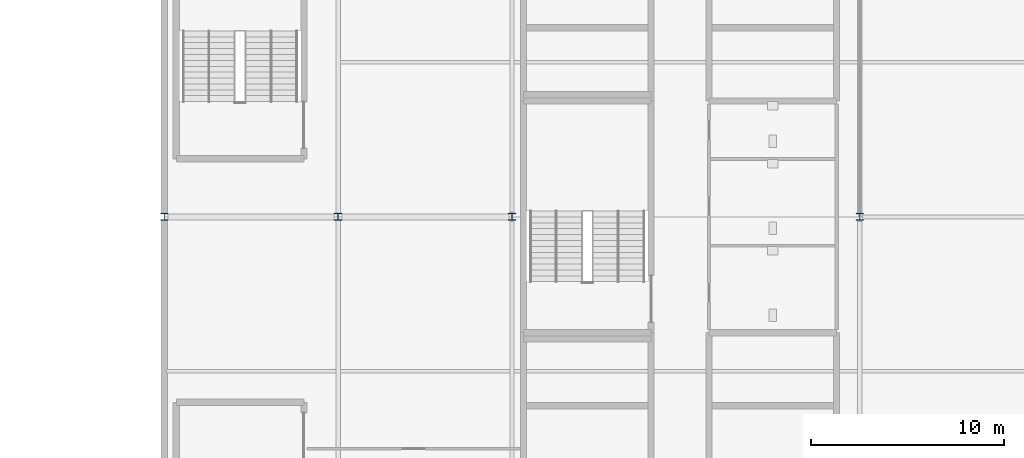
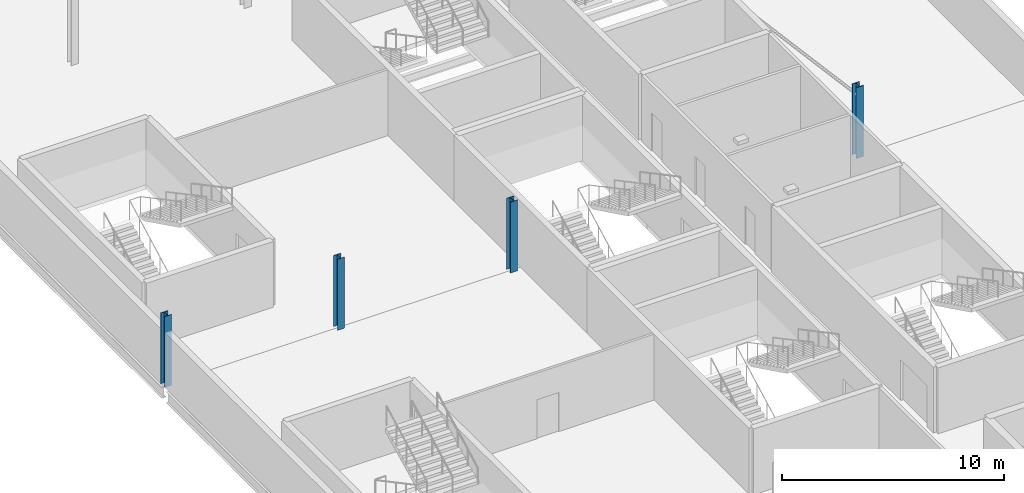
# One storey, part 11 of 98: 4 columns.
"""IFC4 building model written with IfcOpenShell, lengths in metres."""

import ifcopenshell
import ifcopenshell.guid

model = None  # the IFC model being written
_history = None  # IfcOwnerHistory: only IFC2X3 demands one
_inside = {}  # id of a spatial element -> (the spatial element, [elements in it])
_under = {}  # id of a project, library or spatial element -> (it, [spatial elements below it])
_declared = {}  # id of a project -> (the project, [libraries it declares])
_typed = {}  # id of a type object -> (the type object, [elements of that type])
_made_of = {}  # id of a material, layer set ... -> (it, [elements and type objects made of it])


def new_model(schema):
    """Start an empty IFC model of exactly this schema.

    Asked for "IFC4X3", IfcOpenShell would pick the latest addendum, in which some entities
    have other attributes; the version numbers below select the first issue.
    IFC2X3 requires an IfcOwnerHistory on every rooted entity: one is made here for all.
    """
    global model, _history
    if schema == "IFC4X3":
        model = ifcopenshell.file(schema_version=(4, 3, 0, 0))
    else:
        model = ifcopenshell.file(schema=schema)
    _inside.clear()
    _under.clear()
    _declared.clear()
    _typed.clear()
    _made_of.clear()
    _history = None
    if model.schema == "IFC2X3":
        org = make("IfcOrganization", Name="unknown")
        user = make(
            "IfcPersonAndOrganization",
            ThePerson=make("IfcPerson", FamilyName="unknown"),
            TheOrganization=org,
        )
        app = make(
            "IfcApplication",
            ApplicationDeveloper=org,
            Version="unknown",
            ApplicationFullName="unknown",
            ApplicationIdentifier="unknown",
        )
        _history = make(
            "IfcOwnerHistory",
            OwningUser=user,
            OwningApplication=app,
            ChangeAction="ADDED",
            CreationDate=0,
        )
    return model


def make(cls, **values):
    """One entity of the class cls with the attributes given. An attribute that is None is left unset."""
    return model.create_entity(
        cls, **{name: value for name, value in values.items() if value is not None}
    )


def rooted(cls, **values):
    """An entity with a GlobalId (a new one), such as an element, a storey or a relation."""
    return make(cls, GlobalId=ifcopenshell.guid.new(), OwnerHistory=_history, **values)


def si_unit(unit_type, name, prefix=None):
    """IfcSIUnit, for example si_unit("LENGTHUNIT", "METRE", prefix="MILLI")."""
    return make("IfcSIUnit", UnitType=unit_type, Prefix=prefix, Name=name)


def assignment(units):
    """IfcUnitAssignment: the units of a project."""
    return None if units is None else make("IfcUnitAssignment", Units=units)


def point(xyz):
    """IfcCartesianPoint."""
    return None if xyz is None else make("IfcCartesianPoint", Coordinates=xyz)


def direction(xyz):
    """IfcDirection."""
    return None if xyz is None else make("IfcDirection", DirectionRatios=xyz)


def frame(location, z_axis=None, x_axis=None):
    """IfcAxis2Placement3D, a coordinate frame: its origin and axes. An axis left out is left unset."""
    return make(
        "IfcAxis2Placement3D",
        Location=point(location),
        Axis=direction(z_axis),
        RefDirection=direction(x_axis),
    )


def frame_2d(location, x_axis=None):
    """IfcAxis2Placement2D, a coordinate frame in the plane: its origin and x axis."""
    return make(
        "IfcAxis2Placement2D", Location=point(location), RefDirection=direction(x_axis)
    )


def origin():
    """The frame at (0, 0, 0) with its axes left unset."""
    return frame((0.0, 0.0, 0.0))


def origin_2d():
    """The frame at (0, 0) in the plane with its x axis left unset."""
    return frame_2d((0.0, 0.0))


def place(relative_to, where):
    """IfcLocalPlacement: puts the frame where relative to a parent placement (None: the world)."""
    return make(
        "IfcLocalPlacement", PlacementRelTo=relative_to, RelativePlacement=where
    )


def context(
    kind, dimensions, precision=None, world=None, true_north=None, identifier=None
):
    """IfcGeometricRepresentationContext, for example the 3D "Model" context."""
    return make(
        "IfcGeometricRepresentationContext",
        ContextIdentifier=identifier,
        ContextType=kind,
        CoordinateSpaceDimension=dimensions,
        Precision=precision,
        WorldCoordinateSystem=world,
        TrueNorth=true_north,
    )


def subcontext(parent, identifier, kind, view, scale=None):
    """IfcGeometricRepresentationSubContext, for example "Body" below "Model"."""
    return make(
        "IfcGeometricRepresentationSubContext",
        ContextIdentifier=identifier,
        ContextType=kind,
        ParentContext=parent,
        TargetScale=scale,
        TargetView=view,
    )


def project(units=None, contexts=None):
    """IfcProject with its units and contexts."""
    return rooted(
        "IfcProject",
        Name="project",
        RepresentationContexts=contexts,
        UnitsInContext=assignment(units),
    )


def spatial(cls, under=None, at=None, **own):
    """A site, building, storey or space (cls), placed at a placement, below another one or the project."""
    s = rooted(cls, ObjectPlacement=at, **own)
    if under is not None:
        _under.setdefault(under.id(), (under, []))[1].append(s)
    return s


def profile(cls, at=None, kind="AREA", **sizes):
    """A parametric profile (cls). Its sizes go by their IFC names, for example OverallWidth=200.0."""
    return make(cls, ProfileType=kind, Position=at, **sizes)


def i_section(**sizes):
    """IfcIShapeProfileDef."""
    return profile("IfcIShapeProfileDef", **sizes)


def extrude(swept, where, along, depth):
    """IfcExtrudedAreaSolid: the profile swept, set in the frame where, extruded along a direction by depth."""
    return make(
        "IfcExtrudedAreaSolid",
        SweptArea=swept,
        Position=where,
        ExtrudedDirection=direction(along),
        Depth=depth,
    )


def shape(context_of_items, identifier, shape_type, items):
    """IfcShapeRepresentation: the items that make up one representation, for example the "Body"."""
    return make(
        "IfcShapeRepresentation",
        ContextOfItems=context_of_items,
        RepresentationIdentifier=identifier,
        RepresentationType=shape_type,
        Items=items,
    )


def material(Name=None, Category=None):
    """IfcMaterial."""
    return make("IfcMaterial", Name=Name, Category=Category)


def material_profile(
    of_material, cross_section, Name=None, Category=None, Priority=None
):
    """IfcMaterialProfile: a cross section and its material."""
    return make(
        "IfcMaterialProfile",
        Name=Name,
        Material=of_material,
        Profile=cross_section,
        Priority=Priority,
        Category=Category,
    )


def profile_set(profiles, Name=None, composite=None):
    """IfcMaterialProfileSet."""
    return make(
        "IfcMaterialProfileSet",
        Name=Name,
        MaterialProfiles=profiles,
        CompositeProfile=composite,
    )


def made_of(thing, what):
    """Note that an element or type object is made of a material, layer set ...; save() writes the relation."""
    if what is not None:
        _made_of.setdefault(what.id(), (what, []))[1].append(thing)
    return thing


def type_object(cls, material=None, **own):
    """A type object (cls), such as IfcWallType, which elements share."""
    return made_of(rooted(cls, **own), material)


def element(
    cls,
    number,
    at=None,
    inside=None,
    cuts=None,
    type_object=None,
    material=None,
    context=None,
    identifier="Body",
    shape_type=None,
    held_by="IfcProductDefinitionShape",
    body=None,
    shapes=None,
    **own,
):
    """One element of the class cls, such as IfcWall. Its Tag is "e" and its number.

    at: its placement. inside: the storey or other place that contains it. cuts: it is an
    opening in that element (IfcRelVoidsElement). A single representation is given by context,
    identifier, shape_type and body (its items); several are given by shapes. held_by: the class
    of the entity that holds the representations. save() writes the other relations.
    """
    e = rooted(cls, Tag="e%d" % number, ObjectPlacement=at, **own)
    if body is not None:
        shapes = [shape(context, identifier, shape_type, body)]
    if shapes is not None:
        e.Representation = make(held_by, Representations=shapes)
    if inside is not None:
        _inside.setdefault(inside.id(), (inside, []))[1].append(e)
    if cuts is not None:
        rooted(
            "IfcRelVoidsElement", RelatingBuildingElement=cuts, RelatedOpeningElement=e
        )
    if type_object is not None:
        _typed.setdefault(type_object.id(), (type_object, []))[1].append(e)
    return made_of(e, material)


def aggregate(whole, parts):
    """IfcRelAggregates: a whole, such as a stair, and the parts it consists of."""
    return rooted("IfcRelAggregates", RelatingObject=whole, RelatedObjects=parts)


def save(model, path):
    """Write the relations noted so far, then the file.

    IfcRelAggregates (storeys below a building ...), IfcRelContainedInSpatialStructure (elements
    in a storey), IfcRelDefinesByType, IfcRelAssociatesMaterial and IfcRelDeclares: one each for
    every whole, place, type object, material and project.
    """
    for whole, parts in _under.values():
        aggregate(whole, parts)
    for where, things in _inside.values():
        rooted(
            "IfcRelContainedInSpatialStructure",
            RelatedElements=things,
            RelatingStructure=where,
        )
    for kind, things in _typed.values():
        rooted("IfcRelDefinesByType", RelatedObjects=things, RelatingType=kind)
    for what, things in _made_of.values():
        rooted("IfcRelAssociatesMaterial", RelatedObjects=things, RelatingMaterial=what)
    for by, libraries in _declared.values():
        rooted("IfcRelDeclares", RelatingContext=by, RelatedDefinitions=libraries)
    model.write(path)


model = new_model("IFC4")

# Units and contexts
model_context = context("Model", 3, precision=1e-05, world=origin(), true_north=direction((0.0, 1.0)))
body_context = subcontext(model_context, "Body", "Model", "MODEL_VIEW")
ifc_project = project(units=[si_unit("LENGTHUNIT", "METRE"), si_unit("AREAUNIT", "SQUARE_METRE"), si_unit("VOLUMEUNIT", "CUBIC_METRE"), si_unit("PLANEANGLEUNIT", "RADIAN"), si_unit("MASSUNIT", "GRAM", prefix="KILO")], contexts=[model_context])

# Site, building, storey
site_placement = place(None, origin())
site = spatial("IfcSite", under=ifc_project, at=site_placement, CompositionType="ELEMENT")
building_placement = place(site_placement, origin())
building = spatial("IfcBuilding", under=site, at=building_placement, Name="Kisiwana Market Hall", CompositionType="ELEMENT")
storey_placement = place(building_placement, frame((0.0, 0.0, 29.39990234375)))
storey = spatial("IfcBuildingStorey", under=building, at=storey_placement, Name="L06", CompositionType="ELEMENT", Elevation=29.39990234375)

# Columns
ifc_material_1 = material(Name="Steel S355", Category="steel")
ifc_material_profile_1 = material_profile(ifc_material_1, i_section(OverallWidth=0.37060546875, OverallDepth=0.362060546875, WebThickness=0.01220703125, FlangeThickness=0.020751953125, at=origin_2d()), Name="UC 356x368x153")
ifc_profile_set_1 = profile_set([ifc_material_profile_1], Name="Steel S355")
column_type_1 = type_object("IfcColumnType", Name="COL-STL-UC153", PredefinedType="COLUMN", material=ifc_profile_set_1)
for number, where, z_axis, x_axis, name in (
    (1, (153.0, 60.0, 0.0), (0.0, 0.0, 1.0), (1.0, 0.0, 0.0), "Column H/18 (L06) C-1035"),
    (2, (162.0, 60.0, 0.0), (0.0, 0.0, 1.0), (1.0, 0.0, 0.0), "Column H/19 (L06) C-0974"),
):
    element("IfcColumn", number, at=place(storey_placement, frame(where, z_axis=z_axis, x_axis=x_axis)), inside=storey, type_object=column_type_1, Name=name, PredefinedType="COLUMN", context=body_context, shape_type="SweptSolid", body=[
        extrude(i_section(OverallWidth=0.37060546875, OverallDepth=0.362060546875, WebThickness=0.01220703125, FlangeThickness=0.020751953125, at=origin_2d()), origin(), (0.0, 0.0, 1.0), 3.900146484375),
    ])
ifc_material_2 = material(Name="Steel S355", Category="steel")
ifc_material_profile_2 = material_profile(ifc_material_2, i_section(OverallWidth=0.374755859375, OverallDepth=0.37451171875, WebThickness=0.0166015625, FlangeThickness=0.027099609375, at=origin_2d()), Name="UC 356x368x202")
ifc_profile_set_2 = profile_set([ifc_material_profile_2], Name="Steel S355")
column_type_2 = type_object("IfcColumnType", Name="COL-STL-UC202", PredefinedType="COLUMN", material=ifc_profile_set_2)
for number, where, z_axis, x_axis, name in (
    (3, (171.0, 60.0, 0.0), (0.0, 0.0, 1.0), (1.0, 0.0, 0.0), "Column H/20 (L06) C-1049"),
    (4, (189.0, 60.0, 0.0), (0.0, 0.0, 1.0), (1.0, 0.0, 0.0), "Column H/22 (L06) C-0975"),
):
    element("IfcColumn", number, at=place(storey_placement, frame(where, z_axis=z_axis, x_axis=x_axis)), inside=storey, type_object=column_type_2, Name=name, PredefinedType="COLUMN", context=body_context, shape_type="SweptSolid", body=[
        extrude(i_section(OverallWidth=0.374755859375, OverallDepth=0.37451171875, WebThickness=0.0166015625, FlangeThickness=0.027099609375, at=origin_2d()), origin(), (0.0, 0.0, 1.0), 3.900146484375),
    ])

save(model, "model.ifc")
